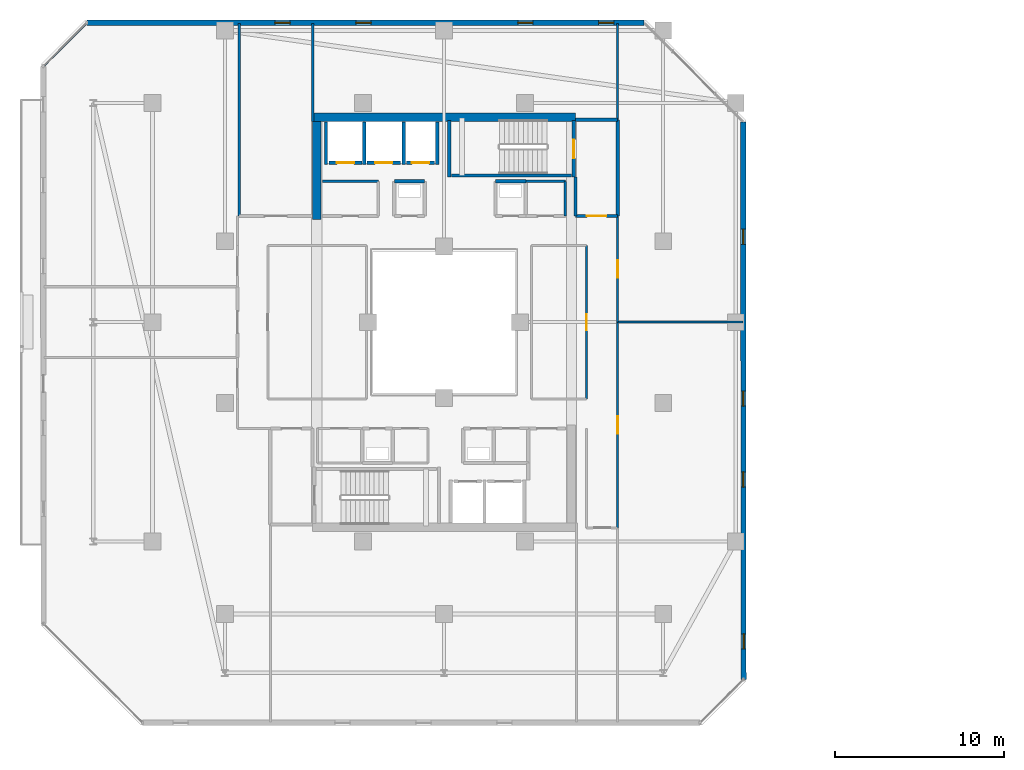
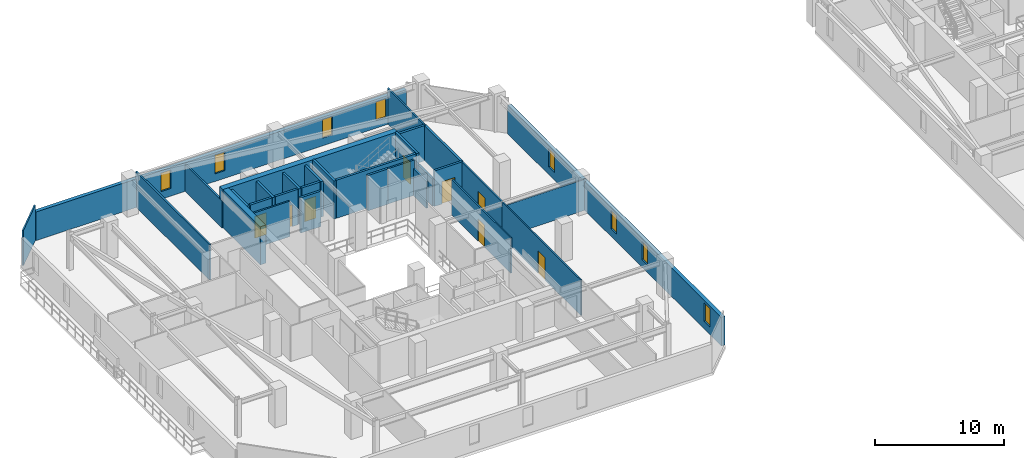
# One storey, part 20 of 31: 31 walls, 8 doors, 8 windows, 16 openings.
"""IFC4 building model written with IfcOpenShell, lengths in metres."""

from ifc_helpers import new_model, si_unit, direction, frame, frame_2d, origin, place, context, subcontext, project, spatial, rectangle, extrude, material, layer, layer_set, type_object, element, fill, save


model = new_model("IFC4")

# Units and contexts
model_context = context("Model", 3, precision=1e-05, world=origin(), true_north=direction((0.0, 1.0)))
body_context = subcontext(model_context, "Body", "Model", "MODEL_VIEW")
ifc_project = project(units=[si_unit("LENGTHUNIT", "METRE"), si_unit("AREAUNIT", "SQUARE_METRE"), si_unit("VOLUMEUNIT", "CUBIC_METRE"), si_unit("PLANEANGLEUNIT", "RADIAN"), si_unit("MASSUNIT", "GRAM", prefix="KILO")], contexts=[model_context])

# Site, building, storey
site_placement = place(None, origin())
site = spatial("IfcSite", under=ifc_project, at=site_placement, CompositionType="ELEMENT")
building_placement = place(site_placement, origin())
building = spatial("IfcBuilding", under=site, at=building_placement, Name="Thornwick Lancets Civic Towers", CompositionType="ELEMENT")
storey_placement = place(building_placement, frame((0.0, 0.0, 233.10009765625)))
storey = spatial("IfcBuildingStorey", under=building, at=storey_placement, Name="L62", CompositionType="ELEMENT", Elevation=233.10009765625)

# Wall, opening, door
ifc_material_1 = material(Name="Concrete blockwork C40/50", Category="masonry")
ifc_layer_1 = layer(ifc_material_1, 0.199951171875, Name="Concrete blockwork C40/50")
ifc_layer_set_1 = layer_set([ifc_layer_1], Name="Concrete blockwork C40/50")
wall_type_1 = type_object("IfcWallType", Name="WALL_COMP_200", PredefinedType="STANDARD", material=ifc_layer_set_1)
wall_1_placement = place(storey_placement, frame((24.919921875, 36.449951171875, 0.0), z_axis=(0.0, 0.0, 1.0), x_axis=(-1.0, 0.0, 0.0)))
wall_1 = element("IfcWall", 1, at=wall_1_placement, inside=storey, type_object=wall_type_1, Name="L62 Hoistway Front Wall FL-A2", PredefinedType="STANDARD", context=body_context, shape_type="SweptSolid", body=[
    extrude(rectangle(XDim=1.639892578125, YDim=0.199951171875, at=frame_2d((0.81982421875, 0.0))), origin(), (0.0, 0.0, 1.0), 3.33984375),
])
opening_1_placement = place(wall_1_placement, frame((0.31005859375, 0.0, 0.0)))
opening_1 = element("IfcOpeningElement", 2, at=opening_1_placement, cuts=wall_1, Name="Opening LD-FL-A2", PredefinedType="OPENING", context=body_context, shape_type="SweptSolid", body=[
    extrude(rectangle(XDim=1.02001953125, YDim=2.06005859375, at=frame_2d((0.510009765625, 1.030029296875))), frame((0.0, 0.10986328125, 0.0), z_axis=(0.0, -1.0, 0.0), x_axis=(1.0, 0.0, 0.0)), (0.0, 0.0, 1.0), 0.219970703125),
])
ifc_material_2 = material(Name="Brushed bronze stainless steel", Category="steel")
door_type_1 = type_object("IfcDoorType", Name="DOOR_LIFT_SLIDE", OperationType="SLIDING_TO_LEFT", PredefinedType="DOOR", material=ifc_material_2)
door_1_placement = place(opening_1_placement, origin())
door_1 = element("IfcDoor", 3, at=door_1_placement, inside=storey, type_object=door_type_1, Name="L62 Sliding Lift Landing Door LD-FL-A2", OperationType="SLIDING_TO_LEFT", OverallHeight=2.06005859375, OverallWidth=1.02001953125, PredefinedType="DOOR", context=body_context, shape_type="SweptSolid", body=[
    extrude(rectangle(XDim=1.02001953125, YDim=2.06005859375, at=frame_2d((0.510009765625, 1.030029296875))), frame((0.0, 0.02490234375, 0.0), z_axis=(0.0, -1.0, 0.0), x_axis=(1.0, 0.0, 0.0)), (0.0, 0.0, 1.0), 0.050048828125),
])
fill(opening_1, door_1)

wall_2_placement = place(storey_placement, frame((22.919921875, 36.449951171875, 0.0), z_axis=(0.0, 0.0, 1.0), x_axis=(-1.0, 0.0, 0.0)))
wall_2 = element("IfcWall", 4, at=wall_2_placement, inside=storey, type_object=wall_type_1, Name="L62 Hoistway Front Wall PL-AH2", PredefinedType="STANDARD", context=body_context, shape_type="SweptSolid", body=[
    extrude(rectangle(XDim=1.989990234375, YDim=0.199951171875, at=frame_2d((0.9951171875, 0.0))), origin(), (0.0, 0.0, 1.0), 3.33984375),
])
opening_2_placement = place(wall_2_placement, frame((0.485107421875, 0.0, 0.0)))
opening_2 = element("IfcOpeningElement", 5, at=opening_2_placement, cuts=wall_2, Name="Opening LD-PL-AH2", PredefinedType="OPENING", context=body_context, shape_type="SweptSolid", body=[
    extrude(rectangle(XDim=1.02001953125, YDim=2.06005859375, at=frame_2d((0.510009765625, 1.030029296875))), frame((0.0, 0.10986328125, 0.0), z_axis=(0.0, -1.0, 0.0), x_axis=(1.0, 0.0, 0.0)), (0.0, 0.0, 1.0), 0.219970703125),
])
door_2_placement = place(opening_2_placement, origin())
door_2 = element("IfcDoor", 6, at=door_2_placement, inside=storey, type_object=door_type_1, Name="L62 Sliding Lift Landing Door LD-PL-AH2", OperationType="SLIDING_TO_LEFT", OverallHeight=2.06005859375, OverallWidth=1.02001953125, PredefinedType="DOOR", context=body_context, shape_type="SweptSolid", body=[
    extrude(rectangle(XDim=1.02001953125, YDim=2.06005859375, at=frame_2d((0.510009765625, 1.030029296875))), frame((0.0, 0.02490234375, 0.0), z_axis=(0.0, -1.0, 0.0), x_axis=(1.0, 0.0, 0.0)), (0.0, 0.0, 1.0), 0.050048828125),
])
fill(opening_2, door_2)

wall_3_placement = place(storey_placement, frame((20.6201171875, 36.449951171875, 0.0), z_axis=(0.0, 0.0, 1.0), x_axis=(-1.0, 0.0, 0.0)))
wall_3 = element("IfcWall", 7, at=wall_3_placement, inside=storey, type_object=wall_type_1, Name="L62 Hoistway Front Wall PL-AH3", PredefinedType="STANDARD", context=body_context, shape_type="SweptSolid", body=[
    extrude(rectangle(XDim=1.940185546875, YDim=0.199951171875, at=frame_2d((0.97021484375, 0.0))), origin(), (0.0, 0.0, 1.0), 3.33984375),
])
opening_3_placement = place(wall_3_placement, frame((0.4599609375, 0.0, 0.0)))
opening_3 = element("IfcOpeningElement", 8, at=opening_3_placement, cuts=wall_3, Name="Opening LD-PL-AH3", PredefinedType="OPENING", context=body_context, shape_type="SweptSolid", body=[
    extrude(rectangle(XDim=1.02001953125, YDim=2.06005859375, at=frame_2d((0.510009765625, 1.030029296875))), frame((0.0, 0.10986328125, 0.0), z_axis=(0.0, -1.0, 0.0), x_axis=(1.0, 0.0, 0.0)), (0.0, 0.0, 1.0), 0.219970703125),
])
door_3_placement = place(opening_3_placement, origin())
door_3 = element("IfcDoor", 9, at=door_3_placement, inside=storey, type_object=door_type_1, Name="L62 Sliding Lift Landing Door LD-PL-AH3", OperationType="SLIDING_TO_LEFT", OverallHeight=2.06005859375, OverallWidth=1.02001953125, PredefinedType="DOOR", context=body_context, shape_type="SweptSolid", body=[
    extrude(rectangle(XDim=1.02001953125, YDim=2.06005859375, at=frame_2d((0.510009765625, 1.030029296875))), frame((0.0, 0.02490234375, 0.0), z_axis=(0.0, -1.0, 0.0), x_axis=(1.0, 0.0, 0.0)), (0.0, 0.0, 1.0), 0.050048828125),
])
fill(opening_3, door_3)

# Walls
for number, where, z_axis, x_axis, name in (
    (10, (25.10009765625, 36.35205078125, 0.0), (0.0, 0.0, 1.0), (0.0, 1.0, 0.0), "L62 Hoistway Shaft Wall FL-A2 E"),
    (11, (23.10009765625, 36.35205078125, 0.0), (0.0, 0.0, 1.0), (0.0, 1.0, 0.0), "L62 Hoistway Shaft Wall FL-A2 W"),
    (12, (20.77490234375, 36.35205078125, 0.0), (0.0, 0.0, 1.0), (0.0, 1.0, 0.0), "L62 Hoistway Shaft Wall PL-AH2 W"),
    (13, (18.5, 36.35205078125, 0.0), (0.0, 0.0, 1.0), (0.0, 1.0, 0.0), "L62 Hoistway Shaft Wall PL-AH3 W"),
):
    element("IfcWall", number, at=place(storey_placement, frame(where, z_axis=z_axis, x_axis=x_axis)), inside=storey, type_object=wall_type_1, Name=name, PredefinedType="STANDARD", context=body_context, shape_type="SweptSolid", body=[
        extrude(rectangle(XDim=2.535888671875, YDim=0.199951171875, at=frame_2d((1.26806640625, 0.0))), origin(), (0.0, 0.0, 1.0), 3.33984375),
    ])

# Wall, opening, door
wall_4_placement = place(storey_placement, frame((33.300048828125, 33.300048828125, 0.0), z_axis=(0.0, 0.0, 1.0), x_axis=(1.0, 0.0, 0.0)))
wall_4 = element("IfcWall", 14, at=wall_4_placement, inside=storey, type_object=wall_type_1, Name="L62 Partition L62-A-FFLOB2 E1", PredefinedType="STANDARD", context=body_context, shape_type="SweptSolid", body=[
    extrude(rectangle(XDim=2.5, YDim=0.199951171875, at=frame_2d((1.25, 0.0))), origin(), (0.0, 0.0, 1.0), 3.33984375),
])
opening_4_placement = place(wall_4_placement, frame((0.675048828125, 0.0, 0.0)))
opening_4 = element("IfcOpeningElement", 15, at=opening_4_placement, cuts=wall_4, Name="Opening D-L62-2782", PredefinedType="OPENING", context=body_context, shape_type="SweptSolid", body=[
    extrude(rectangle(XDim=1.14990234375, YDim=2.10009765625, at=frame_2d((0.574951171875, 1.050048828125))), frame((0.0, 0.10986328125, 0.0), z_axis=(0.0, -1.0, 0.0), x_axis=(1.0, 0.0, 0.0)), (0.0, 0.0, 1.0), 0.219970703125),
])
ifc_material_3 = material(Name="Glazed fire-resisting steel", Category="steel")
door_type_2 = type_object("IfcDoorType", Name="DOOR_LOBBY_FD60", OperationType="NOTDEFINED", PredefinedType="DOOR", material=ifc_material_3)
door_4_placement = place(opening_4_placement, origin())
door_4 = element("IfcDoor", 16, at=door_4_placement, inside=storey, type_object=door_type_2, Name="L62 North Firefighting Lobby 2 Door", OperationType="SINGLE_SWING_LEFT", OverallHeight=2.10009765625, OverallWidth=1.14990234375, PredefinedType="DOOR", context=body_context, shape_type="SweptSolid", body=[
    extrude(rectangle(XDim=1.14990234375, YDim=2.10009765625, at=frame_2d((0.574951171875, 1.050048828125))), frame((0.0, 0.02490234375, 0.0), z_axis=(0.0, -1.0, 0.0), x_axis=(1.0, 0.0, 0.0)), (0.0, 0.0, 1.0), 0.050048828125),
])
fill(opening_4, door_4)

# Walls
wall_5_placement = place(storey_placement, frame((35.800048828125, 33.300048828125, 0.0), z_axis=(0.0, 0.0, 1.0), x_axis=(0.0, 1.0, 0.0)))
element("IfcWall", 17, at=wall_5_placement, inside=storey, type_object=wall_type_1, Name="L62 Partition L62-A-FFLOB2 E2", PredefinedType="STANDARD", context=body_context, shape_type="SweptSolid", body=[
    extrude(rectangle(XDim=5.699951171875, YDim=0.199951171875, at=frame_2d((2.85009765625, 0.0))), origin(), (0.0, 0.0, 1.0), 3.33984375),
])
wall_6_placement = place(storey_placement, frame((35.800048828125, 39.0, 0.0), z_axis=(0.0, 0.0, 1.0), x_axis=(-1.0, 0.0, 0.0)))
element("IfcWall", 18, at=wall_6_placement, inside=storey, type_object=wall_type_1, Name="L62 Partition L62-A-FFLOB2 E3", PredefinedType="STANDARD", context=body_context, shape_type="SweptSolid", body=[
    extrude(rectangle(XDim=2.5, YDim=0.199951171875, at=frame_2d((1.25, 0.0))), origin(), (0.0, 0.0, 1.0), 3.33984375),
])
wall_7_placement = place(storey_placement, frame((33.300048828125, 35.60009765625, 0.0), z_axis=(0.0, 0.0, 1.0), x_axis=(0.0, -1.0, 0.0)))
element("IfcWall", 19, at=wall_7_placement, inside=storey, type_object=wall_type_1, Name="L62 Partition L62-A-FFLOB2 E4", PredefinedType="STANDARD", context=body_context, shape_type="SweptSolid", body=[
    extrude(rectangle(XDim=2.300048828125, YDim=0.199951171875, at=frame_2d((1.14990234375, 0.0))), origin(), (0.0, 0.0, 1.0), 2.544921875),
])
for number, where, z_axis, x_axis, name in (
    (20, (24.35009765625, 35.35009765625, 0.0), (0.0, 0.0, 1.0), (-1.0, 0.0, 0.0), "L62 Partition L62-A-DUCT2 E3"),
    (21, (30.35009765625, 35.35009765625, 0.0), (0.0, 0.0, 1.0), (-1.0, 0.0, 0.0), "L62 Partition L62-A-RISER2 E3"),
):
    element("IfcWall", number, at=place(storey_placement, frame(where, z_axis=z_axis, x_axis=x_axis)), inside=storey, type_object=wall_type_1, Name=name, PredefinedType="STANDARD", context=body_context, shape_type="SweptSolid", body=[
        extrude(rectangle(XDim=1.800048828125, YDim=0.199951171875, at=frame_2d((0.89990234375, 0.0))), origin(), (0.0, 0.0, 1.0), 3.33984375),
    ])
ifc_material_4 = material(Name="Concrete C50/60", Category="concrete")
ifc_layer_2 = layer(ifc_material_4, 0.5, Name="Concrete C50/60")
ifc_layer_set_2 = layer_set([ifc_layer_2], Name="Concrete C50/60")
wall_type_2 = type_object("IfcWallType", Name="WALL_CORE_500", PredefinedType="SHEAR", material=ifc_layer_set_2)
wall_8_placement = place(storey_placement, frame((17.699951171875, 39.14990234375, 0.0), z_axis=(0.0, 0.0, 1.0), x_axis=(1.0, 0.0, 0.0)))
element("IfcWall", 22, at=wall_8_placement, inside=storey, type_object=wall_type_2, Name="L62 Split Core A2 Shear Wall N", PredefinedType="SHEAR", context=body_context, shape_type="SweptSolid", body=[
    extrude(rectangle(XDim=15.60009765625, YDim=0.5, at=frame_2d((7.800048828125, 0.0))), origin(), (0.0, 0.0, 1.0), 3.599853515625),
])
wall_9_placement = place(storey_placement, frame((17.949951171875, 33.10009765625, 0.0), z_axis=(0.0, 0.0, 1.0), x_axis=(0.0, 1.0, 0.0)))
element("IfcWall", 23, at=wall_9_placement, inside=storey, type_object=wall_type_2, Name="L62 Split Core A2 Shear Wall W", PredefinedType="SHEAR", context=body_context, shape_type="SweptSolid", body=[
    extrude(rectangle(XDim=5.7998046875, YDim=0.5, at=frame_2d((2.89990234375, 0.0))), origin(), (0.0, 0.0, 1.0), 3.599853515625),
])

# Wall, openings, windows
ifc_material_5 = material(Name="Insulated buff terracotta rainscreen on concrete C40/50", Category="masonry")
ifc_layer_3 = layer(ifc_material_5, 0.320068359375, Name="Insulated buff terracotta rainscreen on concrete C40/50")
ifc_layer_set_3 = layer_set([ifc_layer_3], Name="Insulated buff terracotta rainscreen on concrete C40/50")
wall_type_3 = type_object("IfcWallType", Name="WALL_EXT_TERRA_320", PredefinedType="STANDARD", material=ifc_layer_set_3)
wall_10_placement = place(storey_placement, frame((43.2646484375, 5.818603515625, 0.0), z_axis=(0.0, 0.0, 1.0), x_axis=(-0.000332378036, 0.999999944762, 0.0)))
wall_10 = element("IfcWall", 24, at=wall_10_placement, inside=storey, type_object=wall_type_3, Name="L62 Tower A Terracotta Facade Wall E2", PredefinedType="STANDARD", context=body_context, shape_type="SweptSolid", body=[
    extrude(rectangle(XDim=33.0537109375, YDim=0.320068359375, at=frame_2d((16.52685546875, 0.0))), origin(), (0.0, 0.0, 1.0), 2.699951171875),
])
opening_5_placement = place(wall_10_placement, frame((1.800048828125, 0.0, 0.719970703125)))
opening_5 = element("IfcOpeningElement", 25, at=opening_5_placement, cuts=wall_10, Name="Opening WL-01", PredefinedType="OPENING", context=body_context, shape_type="SweptSolid", body=[
    extrude(rectangle(XDim=0.89990234375, YDim=1.75, at=frame_2d((0.449951171875, 0.875))), frame((0.0, 0.169921875, 0.0), z_axis=(0.0, -1.0, 0.0), x_axis=(1.0, 0.0, 0.0)), (0.0, 0.0, 1.0), 0.340087890625),
])
opening_6_placement = place(wall_10_placement, frame((11.39990234375, 0.0, 0.719970703125)))
opening_6 = element("IfcOpeningElement", 26, at=opening_6_placement, cuts=wall_10, Name="Opening WL-01", PredefinedType="OPENING", context=body_context, shape_type="SweptSolid", body=[
    extrude(rectangle(XDim=0.89990234375, YDim=1.75, at=frame_2d((0.449951171875, 0.875))), frame((0.0, 0.169921875, 0.0), z_axis=(0.0, -1.0, 0.0), x_axis=(1.0, 0.0, 0.0)), (0.0, 0.0, 1.0), 0.340087890625),
])
opening_7_placement = place(wall_10_placement, frame((16.199951171875, 0.0, 0.719970703125)))
opening_7 = element("IfcOpeningElement", 27, at=opening_7_placement, cuts=wall_10, Name="Opening WL-01", PredefinedType="OPENING", context=body_context, shape_type="SweptSolid", body=[
    extrude(rectangle(XDim=0.89990234375, YDim=1.75, at=frame_2d((0.449951171875, 0.875))), frame((0.0, 0.169921875, 0.0), z_axis=(0.0, -1.0, 0.0), x_axis=(1.0, 0.0, 0.0)), (0.0, 0.0, 1.0), 0.340087890625),
])
opening_8_placement = place(wall_10_placement, frame((25.800048828125, 0.0, 0.719970703125)))
opening_8 = element("IfcOpeningElement", 28, at=opening_8_placement, cuts=wall_10, Name="Opening WL-01", PredefinedType="OPENING", context=body_context, shape_type="SweptSolid", body=[
    extrude(rectangle(XDim=0.89990234375, YDim=1.75, at=frame_2d((0.449951171875, 0.875))), frame((0.0, 0.169921875, 0.0), z_axis=(0.0, -1.0, 0.0), x_axis=(1.0, 0.0, 0.0)), (0.0, 0.0, 1.0), 0.340087890625),
])
ifc_material_6 = material(Name="Clear low-e double glazing in bronze frame", Category="glass")
window_type = type_object("IfcWindowType", Name="WIN_LANCET_900", PartitioningType="SINGLE_PANEL", PredefinedType="WINDOW", material=ifc_material_6)
window_1_placement = place(opening_5_placement, origin())
window_1 = element("IfcWindow", 29, at=window_1_placement, inside=storey, type_object=window_type, Name="L62 Tower A Staggered Lancet Window E2-1", OverallHeight=1.75, OverallWidth=0.89990234375, PartitioningType="SINGLE_PANEL", PredefinedType="WINDOW", context=body_context, shape_type="SweptSolid", body=[
    extrude(rectangle(XDim=0.89990234375, YDim=1.75, at=frame_2d((0.449951171875, 0.875))), frame((0.0, 0.030029296875, 0.0), z_axis=(0.0, -1.0, 0.0), x_axis=(1.0, 0.0, 0.0)), (0.0, 0.0, 1.0), 0.06005859375),
])
fill(opening_5, window_1)
window_2_placement = place(opening_6_placement, origin())
window_2 = element("IfcWindow", 30, at=window_2_placement, inside=storey, type_object=window_type, Name="L62 Tower A Staggered Lancet Window E2-2", OverallHeight=1.75, OverallWidth=0.89990234375, PartitioningType="SINGLE_PANEL", PredefinedType="WINDOW", context=body_context, shape_type="SweptSolid", body=[
    extrude(rectangle(XDim=0.89990234375, YDim=1.75, at=frame_2d((0.449951171875, 0.875))), frame((0.0, 0.030029296875, 0.0), z_axis=(0.0, -1.0, 0.0), x_axis=(1.0, 0.0, 0.0)), (0.0, 0.0, 1.0), 0.06005859375),
])
fill(opening_6, window_2)
window_3_placement = place(opening_7_placement, origin())
window_3 = element("IfcWindow", 31, at=window_3_placement, inside=storey, type_object=window_type, Name="L62 Tower A Staggered Lancet Window E2-3", OverallHeight=1.75, OverallWidth=0.89990234375, PartitioningType="SINGLE_PANEL", PredefinedType="WINDOW", context=body_context, shape_type="SweptSolid", body=[
    extrude(rectangle(XDim=0.89990234375, YDim=1.75, at=frame_2d((0.449951171875, 0.875))), frame((0.0, 0.030029296875, 0.0), z_axis=(0.0, -1.0, 0.0), x_axis=(1.0, 0.0, 0.0)), (0.0, 0.0, 1.0), 0.06005859375),
])
fill(opening_7, window_3)
window_4_placement = place(opening_8_placement, origin())
window_4 = element("IfcWindow", 32, at=window_4_placement, inside=storey, type_object=window_type, Name="L62 Tower A Staggered Lancet Window E2-4", OverallHeight=1.75, OverallWidth=0.89990234375, PartitioningType="SINGLE_PANEL", PredefinedType="WINDOW", context=body_context, shape_type="SweptSolid", body=[
    extrude(rectangle(XDim=0.89990234375, YDim=1.75, at=frame_2d((0.449951171875, 0.875))), frame((0.0, 0.030029296875, 0.0), z_axis=(0.0, -1.0, 0.0), x_axis=(1.0, 0.0, 0.0)), (0.0, 0.0, 1.0), 0.06005859375),
])
fill(opening_8, window_4)

wall_11_placement = place(storey_placement, frame((37.372314453125, 44.753662109375, 0.0), z_axis=(0.0, 0.0, 1.0), x_axis=(-0.999999944762, 0.000332378036, 0.0)))
wall_11 = element("IfcWall", 33, at=wall_11_placement, inside=storey, type_object=wall_type_3, Name="L62 Tower A Terracotta Facade Wall E4", PredefinedType="STANDARD", context=body_context, shape_type="SweptSolid", body=[
    extrude(rectangle(XDim=33.0537109375, YDim=0.320068359375, at=frame_2d((16.52685546875, 0.0))), origin(), (0.0, 0.0, 1.0), 2.699951171875),
])
opening_9_placement = place(wall_11_placement, frame((1.800048828125, 0.0, 0.719970703125)))
opening_9 = element("IfcOpeningElement", 34, at=opening_9_placement, cuts=wall_11, Name="Opening WL-01", PredefinedType="OPENING", context=body_context, shape_type="SweptSolid", body=[
    extrude(rectangle(XDim=0.89990234375, YDim=1.75, at=frame_2d((0.449951171875, 0.875))), frame((0.0, 0.169921875, 0.0), z_axis=(0.0, -1.0, 0.0), x_axis=(1.0, 0.0, 0.0)), (0.0, 0.0, 1.0), 0.340087890625),
])
opening_10_placement = place(wall_11_placement, frame((6.60009765625, 0.0, 0.719970703125)))
opening_10 = element("IfcOpeningElement", 35, at=opening_10_placement, cuts=wall_11, Name="Opening WL-01", PredefinedType="OPENING", context=body_context, shape_type="SweptSolid", body=[
    extrude(rectangle(XDim=0.89990234375, YDim=1.75, at=frame_2d((0.449951171875, 0.875))), frame((0.0, 0.169921875, 0.0), z_axis=(0.0, -1.0, 0.0), x_axis=(1.0, 0.0, 0.0)), (0.0, 0.0, 1.0), 0.340087890625),
])
opening_11_placement = place(wall_11_placement, frame((16.199951171875, 0.0, 0.719970703125)))
opening_11 = element("IfcOpeningElement", 36, at=opening_11_placement, cuts=wall_11, Name="Opening WL-01", PredefinedType="OPENING", context=body_context, shape_type="SweptSolid", body=[
    extrude(rectangle(XDim=0.89990234375, YDim=1.75, at=frame_2d((0.449951171875, 0.875))), frame((0.0, 0.169921875, 0.0), z_axis=(0.0, -1.0, 0.0), x_axis=(1.0, 0.0, 0.0)), (0.0, 0.0, 1.0), 0.340087890625),
])
opening_12_placement = place(wall_11_placement, frame((21.0, 0.0, 0.719970703125)))
opening_12 = element("IfcOpeningElement", 37, at=opening_12_placement, cuts=wall_11, Name="Opening WL-01", PredefinedType="OPENING", context=body_context, shape_type="SweptSolid", body=[
    extrude(rectangle(XDim=0.89990234375, YDim=1.75, at=frame_2d((0.449951171875, 0.875))), frame((0.0, 0.169921875, 0.0), z_axis=(0.0, -1.0, 0.0), x_axis=(1.0, 0.0, 0.0)), (0.0, 0.0, 1.0), 0.340087890625),
])
window_5_placement = place(opening_9_placement, origin())
window_5 = element("IfcWindow", 38, at=window_5_placement, inside=storey, type_object=window_type, Name="L62 Tower A Staggered Lancet Window E4-1", OverallHeight=1.75, OverallWidth=0.89990234375, PartitioningType="SINGLE_PANEL", PredefinedType="WINDOW", context=body_context, shape_type="SweptSolid", body=[
    extrude(rectangle(XDim=0.89990234375, YDim=1.75, at=frame_2d((0.449951171875, 0.875))), frame((0.0, 0.030029296875, 0.0), z_axis=(0.0, -1.0, 0.0), x_axis=(1.0, 0.0, 0.0)), (0.0, 0.0, 1.0), 0.06005859375),
])
fill(opening_9, window_5)
window_6_placement = place(opening_10_placement, origin())
window_6 = element("IfcWindow", 39, at=window_6_placement, inside=storey, type_object=window_type, Name="L62 Tower A Staggered Lancet Window E4-2", OverallHeight=1.75, OverallWidth=0.89990234375, PartitioningType="SINGLE_PANEL", PredefinedType="WINDOW", context=body_context, shape_type="SweptSolid", body=[
    extrude(rectangle(XDim=0.89990234375, YDim=1.75, at=frame_2d((0.449951171875, 0.875))), frame((0.0, 0.030029296875, 0.0), z_axis=(0.0, -1.0, 0.0), x_axis=(1.0, 0.0, 0.0)), (0.0, 0.0, 1.0), 0.06005859375),
])
fill(opening_10, window_6)
window_7_placement = place(opening_11_placement, origin())
window_7 = element("IfcWindow", 40, at=window_7_placement, inside=storey, type_object=window_type, Name="L62 Tower A Staggered Lancet Window E4-3", OverallHeight=1.75, OverallWidth=0.89990234375, PartitioningType="SINGLE_PANEL", PredefinedType="WINDOW", context=body_context, shape_type="SweptSolid", body=[
    extrude(rectangle(XDim=0.89990234375, YDim=1.75, at=frame_2d((0.449951171875, 0.875))), frame((0.0, 0.030029296875, 0.0), z_axis=(0.0, -1.0, 0.0), x_axis=(1.0, 0.0, 0.0)), (0.0, 0.0, 1.0), 0.06005859375),
])
fill(opening_11, window_7)
window_8_placement = place(opening_12_placement, origin())
window_8 = element("IfcWindow", 41, at=window_8_placement, inside=storey, type_object=window_type, Name="L62 Tower A Staggered Lancet Window E4-4", OverallHeight=1.75, OverallWidth=0.89990234375, PartitioningType="SINGLE_PANEL", PredefinedType="WINDOW", context=body_context, shape_type="SweptSolid", body=[
    extrude(rectangle(XDim=0.89990234375, YDim=1.75, at=frame_2d((0.449951171875, 0.875))), frame((0.0, 0.030029296875, 0.0), z_axis=(0.0, -1.0, 0.0), x_axis=(1.0, 0.0, 0.0)), (0.0, 0.0, 1.0), 0.06005859375),
])
fill(opening_12, window_8)

# Wall
ifc_material_7 = material(Name="Acoustic gypsum board partition")
ifc_layer_4 = layer(ifc_material_7, 0.1201171875, Name="Acoustic gypsum board partition")
ifc_layer_set_4 = layer_set([ifc_layer_4], Name="Acoustic gypsum board partition")
wall_type_4 = type_object("IfcWallType", Name="WALL_PART_120", PredefinedType="PARTITIONING", material=ifc_layer_set_4)
wall_12_placement = place(storey_placement, frame((1.780029296875, 42.225341796875, 0.0), z_axis=(0.0, 0.0, 1.0), x_axis=(0.707106781187, 0.707106781187, 0.0)))
element("IfcWall", 42, at=wall_12_placement, inside=storey, type_object=wall_type_4, Name="L62 Partition L62-A-W2B E2", PredefinedType="PARTITIONING", context=body_context, shape_type="SweptSolid", body=[
    extrude(rectangle(XDim=3.52783203125, YDim=0.1201171875, at=frame_2d((1.763916015625, 0.0))), origin(), (0.0, 0.0, 1.0), 3.33984375),
])

# Wall, opening, door
wall_13_placement = place(storey_placement, frame((35.800048828125, 14.800048828125, 0.0), z_axis=(0.0, 0.0, 1.0), x_axis=(0.0, 1.0, 0.0)))
wall_13 = element("IfcWall", 43, at=wall_13_placement, inside=storey, type_object=wall_type_4, Name="L62 Partition L62-A-E1 E3", PredefinedType="PARTITIONING", context=body_context, shape_type="SweptSolid", body=[
    extrude(rectangle(XDim=12.199951171875, YDim=0.1201171875, at=frame_2d((6.10009765625, 0.0))), origin(), (0.0, 0.0, 1.0), 3.33984375),
])
opening_13_placement = place(wall_13_placement, frame((5.574951171875, 0.0, 0.0)))
opening_13 = element("IfcOpeningElement", 44, at=opening_13_placement, cuts=wall_13, Name="Opening D-L62-2811", PredefinedType="OPENING", context=body_context, shape_type="SweptSolid", body=[
    extrude(rectangle(XDim=1.050048828125, YDim=2.10009765625, at=frame_2d((0.52490234375, 1.050048828125))), frame((0.0, 0.070068359375, 0.0), z_axis=(0.0, -1.0, 0.0), x_axis=(1.0, 0.0, 0.0)), (0.0, 0.0, 1.0), 0.14013671875),
])
ifc_material_8 = material(Name="Glazed European oak executive doorset")
door_type_3 = type_object("IfcDoorType", Name="DOOR_OFFICE_1050", OperationType="NOTDEFINED", PredefinedType="DOOR", material=ifc_material_8)
door_5_placement = place(opening_13_placement, origin())
door_5 = element("IfcDoor", 45, at=door_5_placement, inside=storey, type_object=door_type_3, Name="L62 Tower A Secretariat Open Office E1 Door", OperationType="SINGLE_SWING_RIGHT", OverallHeight=2.10009765625, OverallWidth=1.050048828125, PredefinedType="DOOR", context=body_context, shape_type="SweptSolid", body=[
    extrude(rectangle(XDim=1.050048828125, YDim=2.10009765625, at=frame_2d((0.52490234375, 1.050048828125))), frame((0.0, 0.02490234375, 0.0), z_axis=(0.0, -1.0, 0.0), x_axis=(1.0, 0.0, 0.0)), (0.0, 0.0, 1.0), 0.050048828125),
])
fill(opening_13, door_5)

# Walls
wall_14_placement = place(storey_placement, frame((35.800048828125, 27.0, 0.0), z_axis=(0.0, 0.0, 1.0), x_axis=(1.0, 0.0, 0.0)))
element("IfcWall", 46, at=wall_14_placement, inside=storey, type_object=wall_type_4, Name="L62 Partition L62-A-E1 E4", PredefinedType="PARTITIONING", context=body_context, shape_type="SweptSolid", body=[
    extrude(rectangle(XDim=7.419921875, YDim=0.1201171875, at=frame_2d((3.7099609375, 0.0))), origin(), (0.0, 0.0, 1.0), 2.93212890625),
])
wall_15_placement = place(storey_placement, frame((35.800048828125, 39.0, 0.0), z_axis=(0.0, 0.0, 1.0), x_axis=(0.0, 1.0, 0.0)))
element("IfcWall", 47, at=wall_15_placement, inside=storey, type_object=wall_type_4, Name="L62 Partition L62-A-E2 E2", PredefinedType="PARTITIONING", context=body_context, shape_type="SweptSolid", body=[
    extrude(rectangle(XDim=5.719970703125, YDim=0.1201171875, at=frame_2d((2.85986328125, 0.0))), origin(), (0.0, 0.0, 1.0), 3.33984375),
])

# Wall, opening, door
wall_16_placement = place(storey_placement, frame((35.800048828125, 27.0, 0.0), z_axis=(0.0, 0.0, 1.0), x_axis=(0.0, 1.0, 0.0)))
wall_16 = element("IfcWall", 48, at=wall_16_placement, inside=storey, type_object=wall_type_4, Name="L62 Partition L62-A-E2 E7", PredefinedType="PARTITIONING", context=body_context, shape_type="SweptSolid", body=[
    extrude(rectangle(XDim=6.300048828125, YDim=0.1201171875, at=frame_2d((3.14990234375, 0.0))), origin(), (0.0, 0.0, 1.0), 3.33984375),
])
opening_14_placement = place(wall_16_placement, frame((2.625, 0.0, 0.0)))
opening_14 = element("IfcOpeningElement", 49, at=opening_14_placement, cuts=wall_16, Name="Opening D-L62-2812", PredefinedType="OPENING", context=body_context, shape_type="SweptSolid", body=[
    extrude(rectangle(XDim=1.050048828125, YDim=2.10009765625, at=frame_2d((0.52490234375, 1.050048828125))), frame((0.0, 0.070068359375, 0.0), z_axis=(0.0, -1.0, 0.0), x_axis=(1.0, 0.0, 0.0)), (0.0, 0.0, 1.0), 0.14013671875),
])
door_6_placement = place(opening_14_placement, origin())
door_6 = element("IfcDoor", 50, at=door_6_placement, inside=storey, type_object=door_type_3, Name="L62 Tower A Visitors Reception and Waiting Door", OperationType="SINGLE_SWING_LEFT", OverallHeight=2.10009765625, OverallWidth=1.050048828125, PredefinedType="DOOR", context=body_context, shape_type="SweptSolid", body=[
    extrude(rectangle(XDim=1.050048828125, YDim=2.10009765625, at=frame_2d((0.52490234375, 1.050048828125))), frame((0.0, 0.02490234375, 0.0), z_axis=(0.0, -1.0, 0.0), x_axis=(1.0, 0.0, 0.0)), (0.0, 0.0, 1.0), 0.050048828125),
])
fill(opening_14, door_6)

wall_17_placement = place(storey_placement, frame((33.949951171875, 31.550048828125, 0.0), z_axis=(0.0, 0.0, 1.0), x_axis=(0.0, -1.0, 0.0)))
wall_17 = element("IfcWall", 51, at=wall_17_placement, inside=storey, type_object=wall_type_4, Name="L62 Partition L62-A-E-ATRIUM-OFF E3", PredefinedType="PARTITIONING", context=body_context, shape_type="SweptSolid", body=[
    extrude(rectangle(XDim=9.10009765625, YDim=0.1201171875, at=frame_2d((4.550048828125, 0.0))), origin(), (0.0, 0.0, 1.0), 3.33984375),
])
opening_15_placement = place(wall_17_placement, frame((4.074951171875, 0.0, 0.0)))
opening_15 = element("IfcOpeningElement", 52, at=opening_15_placement, cuts=wall_17, Name="Opening D-L62-2813", PredefinedType="OPENING", context=body_context, shape_type="SweptSolid", body=[
    extrude(rectangle(XDim=0.949951171875, YDim=2.10009765625, at=frame_2d((0.47509765625, 1.050048828125))), frame((0.0, 0.070068359375, 0.0), z_axis=(0.0, -1.0, 0.0), x_axis=(1.0, 0.0, 0.0)), (0.0, 0.0, 1.0), 0.14013671875),
])
ifc_material_9 = material(Name="European oak acoustic doorset")
door_type_4 = type_object("IfcDoorType", Name="DOOR_OFFICE_950", OperationType="NOTDEFINED", PredefinedType="DOOR", material=ifc_material_9)
door_7_placement = place(opening_15_placement, origin())
door_7 = element("IfcDoor", 53, at=door_7_placement, inside=storey, type_object=door_type_4, Name="L62 Tower A Atrium Policy Office Door", OperationType="SINGLE_SWING_RIGHT", OverallHeight=2.10009765625, OverallWidth=0.949951171875, PredefinedType="DOOR", context=body_context, shape_type="SweptSolid", body=[
    extrude(rectangle(XDim=0.949951171875, YDim=2.10009765625, at=frame_2d((0.47509765625, 1.050048828125))), frame((0.0, 0.02490234375, 0.0), z_axis=(0.0, -1.0, 0.0), x_axis=(1.0, 0.0, 0.0)), (0.0, 0.0, 1.0), 0.050048828125),
])
fill(opening_15, door_7)

# Walls
ifc_material_10 = material(Name="Twin-stud acoustic gypsum board")
ifc_layer_5 = layer(ifc_material_10, 0.14990234375, Name="Twin-stud acoustic gypsum board")
ifc_layer_set_5 = layer_set([ifc_layer_5], Name="Twin-stud acoustic gypsum board")
wall_type_5 = type_object("IfcWallType", Name="WALL_PART_150", PredefinedType="PARTITIONING", material=ifc_layer_set_5)
wall_18_placement = place(storey_placement, frame((21.60009765625, 35.35009765625, 0.0), z_axis=(0.0, 0.0, 1.0), x_axis=(-1.0, 0.0, 0.0)))
element("IfcWall", 54, at=wall_18_placement, inside=storey, type_object=wall_type_5, Name="L62 Partition L62-A-MWC E3", PredefinedType="PARTITIONING", context=body_context, shape_type="SweptSolid", body=[
    extrude(rectangle(XDim=3.300048828125, YDim=0.14990234375, at=frame_2d((1.64990234375, 0.0))), origin(), (0.0, 0.0, 1.0), 3.33984375),
])
wall_19_placement = place(storey_placement, frame((32.699951171875, 35.35009765625, 0.0), z_axis=(0.0, 0.0, 1.0), x_axis=(0.0, -1.0, 0.0)))
element("IfcWall", 55, at=wall_19_placement, inside=storey, type_object=wall_type_5, Name="L62 Partition L62-A-FWC E1", PredefinedType="PARTITIONING", context=body_context, shape_type="SweptSolid", body=[
    extrude(rectangle(XDim=2.050048828125, YDim=0.14990234375, at=frame_2d((1.02490234375, 0.0))), origin(), (0.0, 0.0, 1.0), 2.544921875),
])
wall_20_placement = place(storey_placement, frame((30.35009765625, 35.35009765625, 0.0), z_axis=(0.0, 0.0, 1.0), x_axis=(1.0, 0.0, 0.0)))
element("IfcWall", 56, at=wall_20_placement, inside=storey, type_object=wall_type_5, Name="L62 Partition L62-A-FWC E4", PredefinedType="PARTITIONING", context=body_context, shape_type="SweptSolid", body=[
    extrude(rectangle(XDim=2.349853515625, YDim=0.14990234375, at=frame_2d((1.1748046875, 0.0))), origin(), (0.0, 0.0, 1.0), 3.33984375),
])
wall_21_placement = place(storey_placement, frame((13.35009765625, 33.300048828125, 0.0), z_axis=(0.0, 0.0, 1.0), x_axis=(0.0, 1.0, 0.0)))
element("IfcWall", 57, at=wall_21_placement, inside=storey, type_object=wall_type_5, Name="L62 Partition L62-A-RECLAIM-M1 E1", PredefinedType="PARTITIONING", context=body_context, shape_type="SweptSolid", body=[
    extrude(rectangle(XDim=11.419921875, YDim=0.14990234375, at=frame_2d((5.7099609375, 0.0))), origin(), (0.0, 0.0, 1.0), 3.33984375),
])
wall_22_placement = place(storey_placement, frame((17.699951171875, 44.719970703125, 0.0), z_axis=(0.0, 0.0, 1.0), x_axis=(0.0, -1.0, 0.0)))
element("IfcWall", 58, at=wall_22_placement, inside=storey, type_object=wall_type_5, Name="L62 Partition L62-A-RECLAIM-M1 E3", PredefinedType="PARTITIONING", context=body_context, shape_type="SweptSolid", body=[
    extrude(rectangle(XDim=5.820068359375, YDim=0.14990234375, at=frame_2d((2.91015625, 0.0))), origin(), (0.0, 0.0, 1.0), 2.544921875),
])

# Wall, opening, door
ifc_material_11 = material(Name="Concrete C40/50", Category="concrete")
ifc_layer_6 = layer(ifc_material_11, 0.199951171875, Name="Concrete C40/50")
ifc_layer_set_6 = layer_set([ifc_layer_6], Name="Concrete C40/50")
wall_type_6 = type_object("IfcWallType", Name="WALL_SHAFT_200", PredefinedType="SHEAR", material=ifc_layer_set_6)
wall_23_placement = place(storey_placement, frame((33.199951171875, 38.949951171875, 0.0), z_axis=(0.0, 0.0, 1.0), x_axis=(0.0, -1.0, 0.0)))
wall_23 = element("IfcWall", 59, at=wall_23_placement, inside=storey, type_object=wall_type_6, Name="L62 ST-A2 Fire Stair Core Wall NEAR", PredefinedType="SHEAR", context=body_context, shape_type="SweptSolid", body=[
    extrude(rectangle(XDim=3.349853515625, YDim=0.199951171875, at=frame_2d((1.6748046875, 0.0))), origin(), (0.0, 0.0, 1.0), 3.599853515625),
])
opening_16_placement = place(wall_23_placement, frame((1.125, 0.0, 0.0)))
opening_16 = element("IfcOpeningElement", 60, at=opening_16_placement, cuts=wall_23, Name="Opening D-ST-A2-L62", PredefinedType="OPENING", context=body_context, shape_type="SweptSolid", body=[
    extrude(rectangle(XDim=1.10009765625, YDim=2.10009765625, at=frame_2d((0.550048828125, 1.050048828125))), frame((0.0, 0.10986328125, 0.0), z_axis=(0.0, -1.0, 0.0), x_axis=(1.0, 0.0, 0.0)), (0.0, 0.0, 1.0), 0.219970703125),
])
ifc_material_12 = material(Name="Fire-resisting steel and hardwood", Category="steel")
door_type_5 = type_object("IfcDoorType", Name="DOOR_STAIR_FD60", OperationType="NOTDEFINED", PredefinedType="DOOR", material=ifc_material_12)
door_8_placement = place(opening_16_placement, origin())
door_8 = element("IfcDoor", 61, at=door_8_placement, inside=storey, type_object=door_type_5, Name="L62 ST-A2 Exit Stair Door", OperationType="SINGLE_SWING_LEFT", OverallHeight=2.10009765625, OverallWidth=1.10009765625, PredefinedType="DOOR", context=body_context, shape_type="SweptSolid", body=[
    extrude(rectangle(XDim=1.10009765625, YDim=2.10009765625, at=frame_2d((0.550048828125, 1.050048828125))), frame((0.0, 0.02490234375, 0.0), z_axis=(0.0, -1.0, 0.0), x_axis=(1.0, 0.0, 0.0)), (0.0, 0.0, 1.0), 0.050048828125),
])
fill(opening_16, door_8)

# Walls
wall_24_placement = place(storey_placement, frame((25.800048828125, 35.60009765625, 0.0), z_axis=(0.0, 0.0, 1.0), x_axis=(0.0, 1.0, 0.0)))
element("IfcWall", 62, at=wall_24_placement, inside=storey, type_object=wall_type_6, Name="L62 ST-A2 Fire Stair Core Wall FAR", PredefinedType="SHEAR", context=body_context, shape_type="SweptSolid", body=[
    extrude(rectangle(XDim=3.349853515625, YDim=0.199951171875, at=frame_2d((1.6748046875, 0.0))), origin(), (0.0, 0.0, 1.0), 3.599853515625),
])
wall_25_placement = place(storey_placement, frame((25.949951171875, 35.702880859375, 0.0), z_axis=(0.0, 0.0, 1.0), x_axis=(1.0, 0.0, 0.0)))
element("IfcWall", 63, at=wall_25_placement, inside=storey, type_object=wall_type_6, Name="L62 ST-A2 Fire Stair Core Wall RIGHT", PredefinedType="SHEAR", context=body_context, shape_type="SweptSolid", body=[
    extrude(rectangle(XDim=7.10009765625, YDim=0.199951171875, at=frame_2d((3.550048828125, 0.0))), origin(), (0.0, 0.0, 1.0), 3.599853515625),
])

save(model, "model.ifc")
